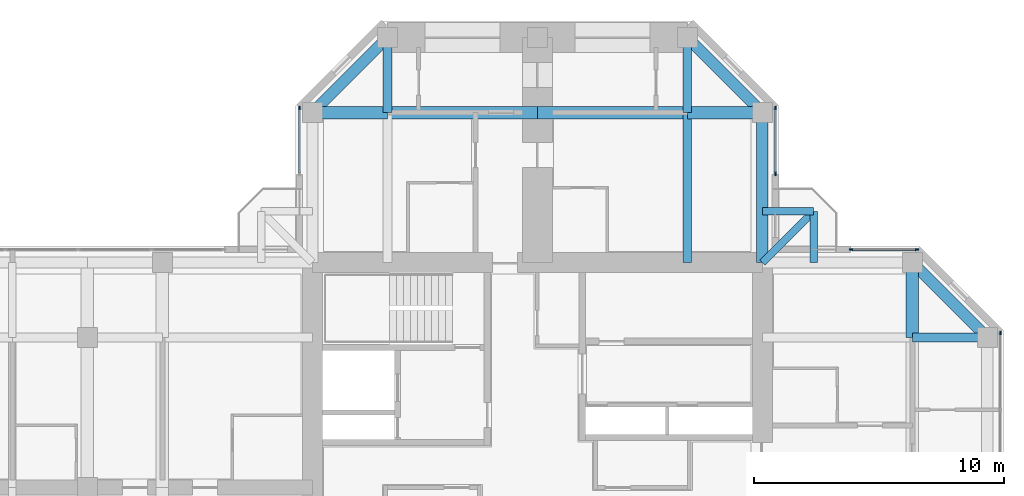
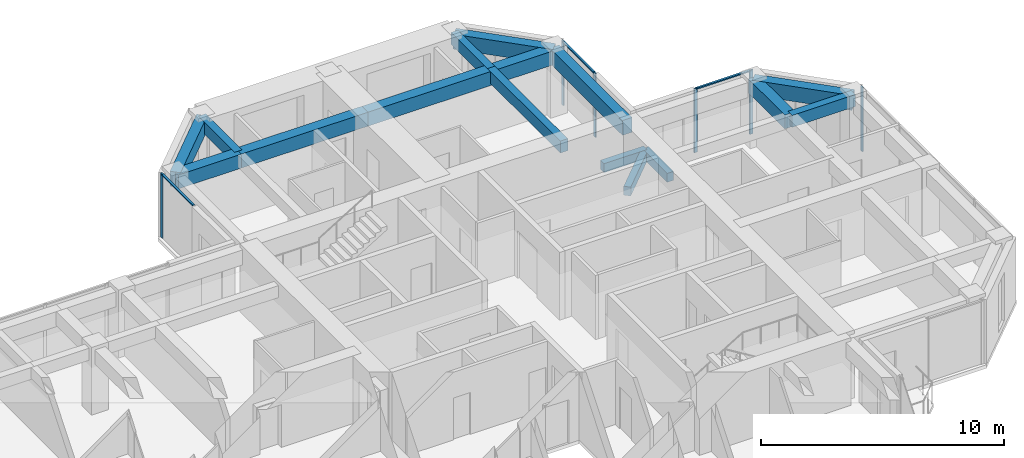
# One storey, part 6 of 14: 16 beams, 9 members, 4 elements without a shape of their own.
"""IFC4 building model written with IfcOpenShell, lengths in metres."""

from ifc_helpers import new_model, si_unit, direction, frame, origin, origin_2d, place, context, subcontext, project, spatial, rectangle, extrude, material, material_profile, profile_set, type_object, element, aggregate, save


model = new_model("IFC4")

# Units and contexts
model_context = context("Model", 3, precision=1e-05, world=origin(), true_north=direction((0.0, 1.0)))
body_context = subcontext(model_context, "Body", "Model", "MODEL_VIEW")
ifc_project = project(units=[si_unit("LENGTHUNIT", "METRE"), si_unit("AREAUNIT", "SQUARE_METRE"), si_unit("VOLUMEUNIT", "CUBIC_METRE"), si_unit("PLANEANGLEUNIT", "RADIAN"), si_unit("MASSUNIT", "GRAM", prefix="KILO")], contexts=[model_context])

# Site, building, storey
site_placement = place(None, origin())
site = spatial("IfcSite", under=ifc_project, at=site_placement, CompositionType="ELEMENT")
building_placement = place(site_placement, origin())
building = spatial("IfcBuilding", under=site, at=building_placement, Name="Torre Cruceta", CompositionType="ELEMENT")
storey_placement = place(building_placement, frame((0.0, 0.0, 228.89990234375)))
storey = spatial("IfcBuildingStorey", under=building, at=storey_placement, Name="L58", CompositionType="ELEMENT", Elevation=228.89990234375)

# Beams
ifc_material_1 = material(Name="Concrete G60 (fck 60 MPa)", Category="concrete")
ifc_material_profile_1 = material_profile(ifc_material_1, rectangle(XDim=0.300048828125, YDim=0.449951171875, at=origin_2d()), Name="RC 300X450")
ifc_profile_set_1 = profile_set([ifc_material_profile_1], Name="Concrete G60 (fck 60 MPa)")
beam_type_1 = type_object("IfcBeamType", Name="BALCONY CANTILEVER BEAM RC 300X450", PredefinedType="BEAM", material=ifc_profile_set_1)
beam_1_placement = place(storey_placement, frame((9.0, 9.0, -0.40478515625), z_axis=(0.707106781187, 0.707106781187, 0.0), x_axis=(-0.707106781187, 0.707106781187, 0.0)))
element("IfcBeam", 1, at=beam_1_placement, inside=storey, type_object=beam_type_1, Name="BB1 balcony beam L58 E", PredefinedType="BEAM", context=body_context, shape_type="SweptSolid", body=[
    extrude(rectangle(XDim=0.300048828125, YDim=0.449951171875, at=origin_2d()), origin(), (0.0, 0.0, 1.0), 2.89990234375),
])
for number, where, z_axis, x_axis, name in (
    (2, (11.050537109375, 9.0, -0.40478515625), (0.0, 1.0, 0.0), (-1.0, 0.0, 0.0), "BB1 balcony edge beam L58 E-X"),
    (3, (9.0, 11.050537109375, -0.40478515625), (1.0, 0.0, 0.0), (0.0, 1.0, 0.0), "BB1 balcony edge beam L58 E-Y"),
):
    element("IfcBeam", number, at=place(storey_placement, frame(where, z_axis=z_axis, x_axis=x_axis)), inside=storey, type_object=beam_type_1, Name=name, PredefinedType="BEAM", context=body_context, shape_type="SweptSolid", body=[
        extrude(rectangle(XDim=0.300048828125, YDim=0.449951171875, at=origin_2d()), origin(), (0.0, 0.0, 1.0), 2.050537109375),
    ])
ifc_material_2 = material(Name="Concrete G60 (fck 60 MPa)", Category="concrete")
ifc_material_profile_2 = material_profile(ifc_material_2, rectangle(XDim=0.35009765625, YDim=0.60009765625, at=origin_2d()), Name="RC 350X600")
ifc_profile_set_2 = profile_set([ifc_material_profile_2], Name="Concrete G60 (fck 60 MPa)")
beam_type_2 = type_object("IfcBeamType", Name="COLUMN LINE BEAM RC 350X600", PredefinedType="BEAM", material=ifc_profile_set_2)
beam_2_placement = place(storey_placement, frame((6.0, 9.0, 2.920166015625), z_axis=(0.0, 1.0, 0.0), x_axis=(-1.0, 0.0, 0.0)))
element("IfcBeam", 4, at=beam_2_placement, inside=storey, type_object=beam_type_2, Name="LB9 L58 N col- 1", PredefinedType="BEAM", context=body_context, shape_type="SweptSolid", body=[
    extrude(rectangle(XDim=0.35009765625, YDim=0.60009765625, at=origin_2d()), origin(), (0.0, 0.0, 1.0), 6.0),
])
for number, where, z_axis, x_axis, name in (
    (5, (6.0, 15.0, 2.920166015625), (0.0, 1.0, 0.0), (-1.0, 0.0, 0.0), "LB9 L58 N col- 2"),
    (6, (-6.0, 15.0, 2.920166015625), (0.0, 1.0, 0.0), (-1.0, 0.0, 0.0), "LB9 L58 N col+ 2"),
    (7, (15.0, 6.0, 2.920166015625), (1.0, 0.0, 0.0), (0.0, 1.0, 0.0), "LB9 L58 E col+ 2"),
):
    element("IfcBeam", number, at=place(storey_placement, frame(where, z_axis=z_axis, x_axis=x_axis)), inside=storey, type_object=beam_type_2, Name=name, PredefinedType="BEAM", context=body_context, shape_type="SweptSolid", body=[
        extrude(rectangle(XDim=0.35009765625, YDim=0.60009765625, at=origin_2d()), origin(), (0.0, 0.0, 1.0), 3.0),
    ])
ifc_material_3 = material(Name="Concrete G60 (fck 60 MPa)", Category="concrete")
ifc_material_profile_3 = material_profile(ifc_material_3, rectangle(XDim=0.5, YDim=0.699951171875, at=origin_2d()), Name="RC 500X700")
ifc_profile_set_3 = profile_set([ifc_material_profile_3], Name="Concrete G60 (fck 60 MPa)")
beam_type_3 = type_object("IfcBeamType", Name="CROSS BEAM RC 500X700", PredefinedType="BEAM", material=ifc_profile_set_3)
beam_3_placement = place(storey_placement, frame((9.0, 15.0, 2.8701171875), z_axis=(-1.0, 0.0, 0.0), x_axis=(0.0, -1.0, 0.0)))
element("IfcBeam", 8, at=beam_3_placement, inside=storey, type_object=beam_type_3, Name="GB7 L58 N cross15 1", PredefinedType="BEAM", context=body_context, shape_type="SweptSolid", body=[
    extrude(rectangle(XDim=0.5, YDim=0.699951171875, at=origin_2d()), origin(), (0.0, 0.0, 1.0), 3.0),
])
for number, where, z_axis, x_axis, name in (
    (9, (6.0, 15.0, 2.8701171875), (-1.0, 0.0, 0.0), (0.0, -1.0, 0.0), "GB7 L58 N cross15 2"),
    (10, (0.0, 15.0, 2.8701171875), (-1.0, 0.0, 0.0), (0.0, -1.0, 0.0), "GB7 L58 N cross15 3"),
):
    element("IfcBeam", number, at=place(storey_placement, frame(where, z_axis=z_axis, x_axis=x_axis)), inside=storey, type_object=beam_type_3, Name=name, PredefinedType="BEAM", context=body_context, shape_type="SweptSolid", body=[
        extrude(rectangle(XDim=0.5, YDim=0.699951171875, at=origin_2d()), origin(), (0.0, 0.0, 1.0), 6.0),
    ])
for number, where, z_axis, x_axis, name in (
    (11, (-6.0, 15.0, 2.8701171875), (-1.0, 0.0, 0.0), (0.0, -1.0, 0.0), "GB7 L58 N cross15 4"),
    (12, (15.0, 6.0, 2.8701171875), (0.0, 1.0, 0.0), (-1.0, 0.0, 0.0), "GB7 L58 E cross15 4"),
):
    element("IfcBeam", number, at=place(storey_placement, frame(where, z_axis=z_axis, x_axis=x_axis)), inside=storey, type_object=beam_type_3, Name=name, PredefinedType="BEAM", context=body_context, shape_type="SweptSolid", body=[
        extrude(rectangle(XDim=0.5, YDim=0.699951171875, at=origin_2d()), origin(), (0.0, 0.0, 1.0), 3.0),
    ])

# Curtain wall, member
ifc_material_4 = material(Name="Aluminium unitised curtain wall", Category="aluminium")
curtain_wall_type = type_object("IfcCurtainWallType", Name="CURTAIN WALL CW-D CO-LIVING UPPER", PredefinedType="USERDEFINED", material=ifc_material_4)
curtain_wall_1_placement = place(storey_placement, origin())
curtain_wall_1 = element("IfcCurtainWall", 13, at=curtain_wall_1_placement, inside=storey, type_object=curtain_wall_type, Name="CW-D L58 E tip 02", ObjectType="UNITISED", PredefinedType="USERDEFINED")
ifc_material_5 = material(Name="Aluminium mullion", Category="aluminium")
ifc_material_profile_4 = material_profile(ifc_material_5, rectangle(XDim=0.06005859375, YDim=0.14990234375, at=origin_2d()), Name="AL 60X150")
ifc_profile_set_4 = profile_set([ifc_material_profile_4], Name="Aluminium mullion")
member_type_1 = type_object("IfcMemberType", Name="CW-D MULLION 60X150", PredefinedType="MULLION", material=ifc_profile_set_4)
member_1_placement = place(storey_placement, frame((18.52001953125, 6.185302734375, 0.0), z_axis=(0.0, 0.0, 1.0), x_axis=(-1.0, 0.0, 0.0)))
member_1 = element("IfcMember", 14, at=member_1_placement, type_object=member_type_1, Name="CW-D mullion 5", PredefinedType="MULLION", context=body_context, shape_type="SweptSolid", body=[
    extrude(rectangle(XDim=0.06005859375, YDim=0.14990234375, at=origin_2d()), origin(), (0.0, 0.0, 1.0), 3.22021484375),
])
aggregate(curtain_wall_1, [member_1])

# Curtain wall, members
curtain_wall_2_placement = place(storey_placement, origin())
curtain_wall_2 = element("IfcCurtainWall", 15, at=curtain_wall_2_placement, inside=storey, type_object=curtain_wall_type, Name="CW-D L58 E side 04", ObjectType="UNITISED", PredefinedType="USERDEFINED")
member_2_placement = place(storey_placement, frame((15.185302734375, 9.52001953125, 0.0), z_axis=(0.0, 0.0, 1.0), x_axis=(0.0, -1.0, 0.0)))
member_2 = element("IfcMember", 16, at=member_2_placement, type_object=member_type_1, Name="CW-D mullion 1", PredefinedType="MULLION", context=body_context, shape_type="SweptSolid", body=[
    extrude(rectangle(XDim=0.06005859375, YDim=0.14990234375, at=origin_2d()), origin(), (0.0, 0.0, 1.0), 3.22021484375),
])
member_3_placement = place(storey_placement, frame((12.550048828125, 9.52001953125, 0.0), z_axis=(0.0, 0.0, 1.0), x_axis=(0.0, -1.0, 0.0)))
member_3 = element("IfcMember", 17, at=member_3_placement, type_object=member_type_1, Name="CW-D mullion 2", PredefinedType="MULLION", context=body_context, shape_type="SweptSolid", body=[
    extrude(rectangle(XDim=0.06005859375, YDim=0.14990234375, at=origin_2d()), origin(), (0.0, 0.0, 1.0), 3.22021484375),
])

curtain_wall_3_placement = place(storey_placement, origin())
curtain_wall_3 = element("IfcCurtainWall", 18, at=curtain_wall_3_placement, inside=storey, type_object=curtain_wall_type, Name="CW-D L58 N side 05", ObjectType="UNITISED", PredefinedType="USERDEFINED")
member_4_placement = place(storey_placement, frame((9.52001953125, 12.550048828125, 0.0), z_axis=(0.0, 0.0, 1.0), x_axis=(-1.0, 0.0, 0.0)))
member_4 = element("IfcMember", 19, at=member_4_placement, type_object=member_type_1, Name="CW-D mullion 1", PredefinedType="MULLION", context=body_context, shape_type="SweptSolid", body=[
    extrude(rectangle(XDim=0.06005859375, YDim=0.14990234375, at=origin_2d()), origin(), (0.0, 0.0, 1.0), 3.22021484375),
])
member_5_placement = place(storey_placement, frame((9.52001953125, 15.185302734375, 0.0), z_axis=(0.0, 0.0, 1.0), x_axis=(-1.0, 0.0, 0.0)))
member_5 = element("IfcMember", 20, at=member_5_placement, type_object=member_type_1, Name="CW-D mullion 2", PredefinedType="MULLION", context=body_context, shape_type="SweptSolid", body=[
    extrude(rectangle(XDim=0.06005859375, YDim=0.14990234375, at=origin_2d()), origin(), (0.0, 0.0, 1.0), 3.22021484375),
])

# Curtain wall, member
curtain_wall_4_placement = place(storey_placement, origin())
curtain_wall_4 = element("IfcCurtainWall", 21, at=curtain_wall_4_placement, inside=storey, type_object=curtain_wall_type, Name="CW-D L58 N side 09", ObjectType="UNITISED", PredefinedType="USERDEFINED")
member_6_placement = place(storey_placement, frame((-9.52001953125, 15.185302734375, 0.0), z_axis=(0.0, 0.0, 1.0), x_axis=(1.0, 0.0, 0.0)))
member_6 = element("IfcMember", 22, at=member_6_placement, type_object=member_type_1, Name="CW-D mullion 1", PredefinedType="MULLION", context=body_context, shape_type="SweptSolid", body=[
    extrude(rectangle(XDim=0.06005859375, YDim=0.14990234375, at=origin_2d()), origin(), (0.0, 0.0, 1.0), 3.22021484375),
])

# Member
ifc_material_6 = material(Name="Aluminium transom", Category="aluminium")
ifc_material_profile_5 = material_profile(ifc_material_6, rectangle(XDim=0.10009765625, YDim=0.06005859375, at=origin_2d()), Name="AL 100X60")
ifc_profile_set_5 = profile_set([ifc_material_profile_5], Name="Aluminium transom")
member_type_2 = type_object("IfcMemberType", Name="CW-D TRANSOM 60X100", PredefinedType="USERDEFINED", material=ifc_profile_set_5)
member_7_placement = place(storey_placement, frame((15.1552734375, 9.52001953125, 3.190185546875), z_axis=(-1.0, 0.0, 0.0), x_axis=(0.0, -1.0, 0.0)))
member_7 = element("IfcMember", 23, at=member_7_placement, type_object=member_type_2, Name="CW-D transom 1", ObjectType="TRANSOM", PredefinedType="USERDEFINED", context=body_context, shape_type="SweptSolid", body=[
    extrude(rectangle(XDim=0.10009765625, YDim=0.06005859375, at=origin_2d()), origin(), (0.0, 0.0, 1.0), 2.5751953125),
])

aggregate(curtain_wall_2, [member_2, member_3, member_7])

member_8_placement = place(storey_placement, frame((9.52001953125, 12.580078125, 3.190185546875), z_axis=(0.0, 1.0, 0.0), x_axis=(-1.0, 0.0, 0.0)))
member_8 = element("IfcMember", 24, at=member_8_placement, type_object=member_type_2, Name="CW-D transom 1", ObjectType="TRANSOM", PredefinedType="USERDEFINED", context=body_context, shape_type="SweptSolid", body=[
    extrude(rectangle(XDim=0.10009765625, YDim=0.06005859375, at=origin_2d()), origin(), (0.0, 0.0, 1.0), 2.5751953125),
])

aggregate(curtain_wall_3, [member_4, member_5, member_8])

member_9_placement = place(storey_placement, frame((-9.52001953125, 15.1552734375, 3.190185546875), z_axis=(0.0, -1.0, 0.0), x_axis=(1.0, 0.0, 0.0)))
member_9 = element("IfcMember", 25, at=member_9_placement, type_object=member_type_2, Name="CW-D transom 1", ObjectType="TRANSOM", PredefinedType="USERDEFINED", context=body_context, shape_type="SweptSolid", body=[
    extrude(rectangle(XDim=0.10009765625, YDim=0.06005859375, at=origin_2d()), origin(), (0.0, 0.0, 1.0), 2.5751953125),
])

aggregate(curtain_wall_4, [member_6, member_9])

# Beams
ifc_material_7 = material(Name="Concrete G60 (fck 60 MPa)", Category="concrete")
ifc_material_profile_6 = material_profile(ifc_material_7, rectangle(XDim=0.449951171875, YDim=0.75, at=origin_2d()), Name="RC 450X750")
ifc_profile_set_6 = profile_set([ifc_material_profile_6], Name="Concrete G60 (fck 60 MPa)")
beam_type_4 = type_object("IfcBeamType", Name="SPANDREL BEAM RC 450X750", PredefinedType="SPANDREL", material=ifc_profile_set_6)
beam_4_placement = place(storey_placement, frame((9.0, 9.0, 2.84521484375), z_axis=(0.0, 1.0, 0.0), x_axis=(-1.0, 0.0, 0.0)))
element("IfcBeam", 26, at=beam_4_placement, inside=storey, type_object=beam_type_4, Name="SB7 L58 N side- 1", PredefinedType="SPANDREL", context=body_context, shape_type="SweptSolid", body=[
    extrude(rectangle(XDim=0.449951171875, YDim=0.75, at=origin_2d()), origin(), (0.0, 0.0, 1.0), 6.0),
])
for number, where, z_axis, x_axis, name in (
    (27, (9.0, 15.0, 2.84521484375), (-0.707106781187, 0.707106781187, 0.0), (-0.707106781187, -0.707106781187, 0.0), "SB7 L58 N side- 2"),
    (28, (-9.0, 15.0, 2.84521484375), (0.707106781187, 0.707106781187, 0.0), (-0.707106781187, 0.707106781187, 0.0), "SB7 L58 N side+ 2"),
    (29, (15.0, 9.0, 2.84521484375), (0.707106781187, -0.707106781187, 0.0), (0.707106781187, 0.707106781187, 0.0), "SB7 L58 E side+ 2"),
):
    element("IfcBeam", number, at=place(storey_placement, frame(where, z_axis=z_axis, x_axis=x_axis)), inside=storey, type_object=beam_type_4, Name=name, PredefinedType="SPANDREL", context=body_context, shape_type="SweptSolid", body=[
        extrude(rectangle(XDim=0.449951171875, YDim=0.75, at=origin_2d()), origin(), (0.0, 0.0, 1.0), 4.24267578125),
    ])

save(model, "model.ifc")
